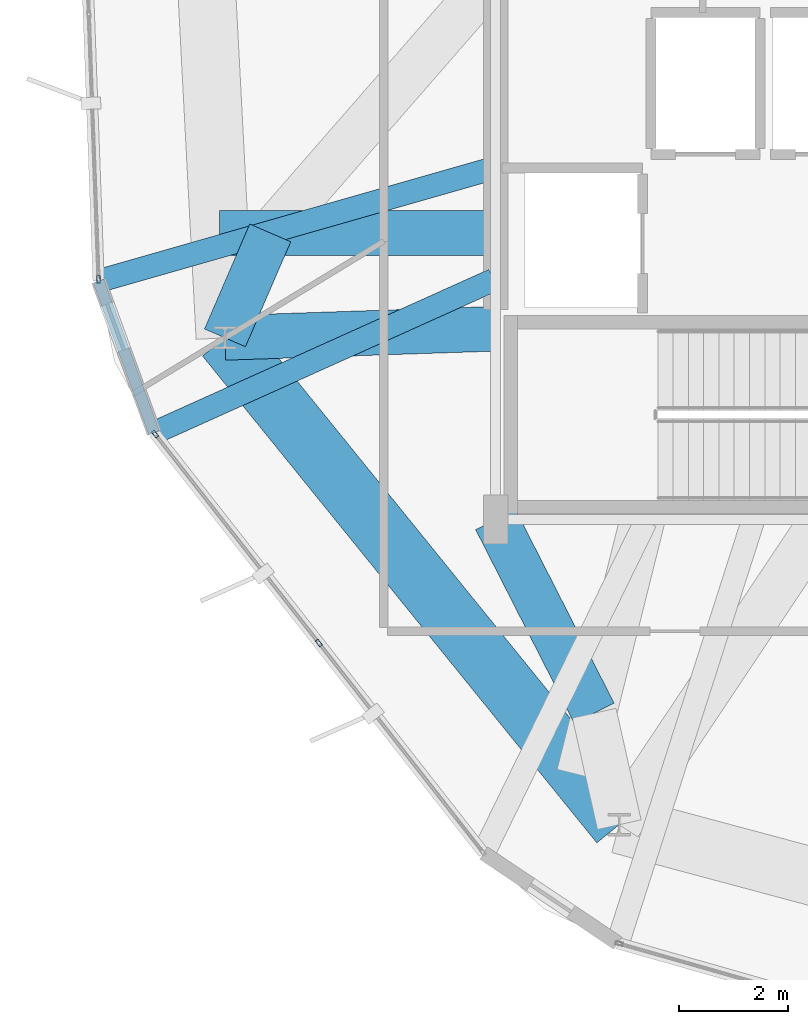
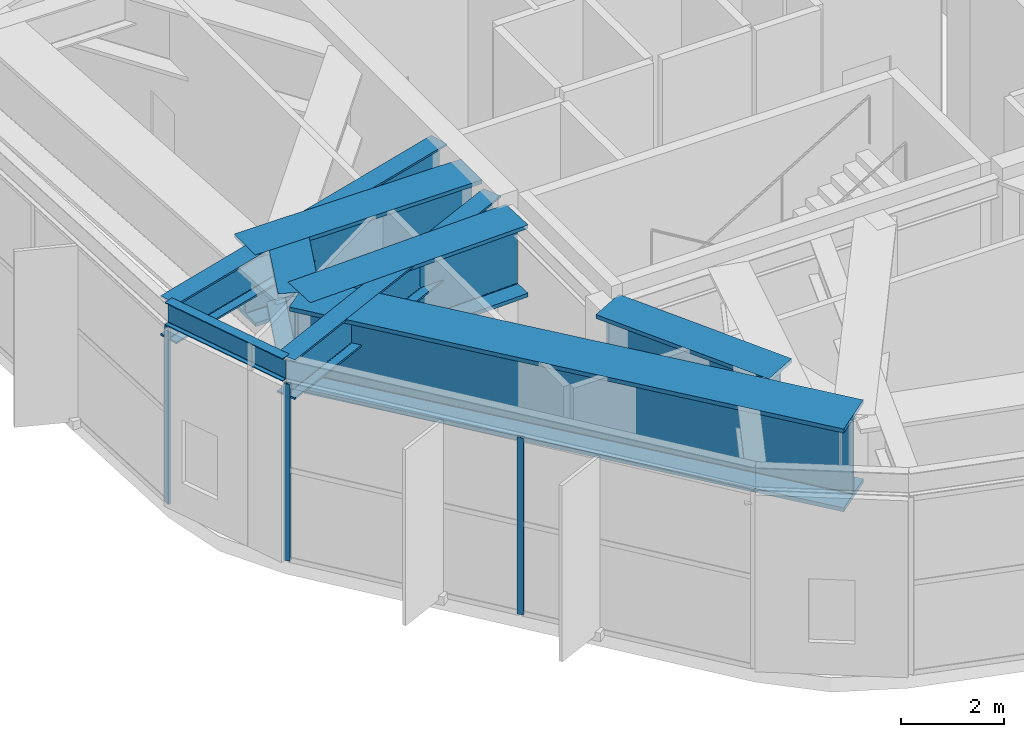
# One storey, part 5 of 30: 8 beams, 3 members, 2 elements without a shape of their own.
"""IFC4 building model written with IfcOpenShell, lengths in metres."""

from ifc_helpers import new_model, si_unit, direction, frame, origin, origin_2d, place, context, subcontext, project, spatial, hollow_rectangle, i_section, extrude, material, layer, layer_set, material_profile, profile_set, type_object, element, aggregate, save


model = new_model("IFC4")

# Units and contexts
model_context = context("Model", 3, precision=1e-05, world=origin(), true_north=direction((0.0, 1.0)))
body_context = subcontext(model_context, "Body", "Model", "MODEL_VIEW")
ifc_project = project(units=[si_unit("LENGTHUNIT", "METRE"), si_unit("AREAUNIT", "SQUARE_METRE"), si_unit("VOLUMEUNIT", "CUBIC_METRE"), si_unit("PLANEANGLEUNIT", "RADIAN"), si_unit("MASSUNIT", "GRAM", prefix="KILO")], contexts=[model_context])

# Site, building, storey
site_placement = place(None, origin())
site = spatial("IfcSite", under=ifc_project, at=site_placement, CompositionType="ELEMENT")
building_placement = place(site_placement, origin())
building = spatial("IfcBuilding", under=site, at=building_placement, Name="Soratama Intermodal Tower", CompositionType="ELEMENT")
storey_placement = place(building_placement, frame((0.0, 0.0, 237.39990234375)))
storey = spatial("IfcBuildingStorey", under=building, at=storey_placement, Name="L60", CompositionType="ELEMENT", Elevation=237.39990234375)

# Beams
ifc_material_1 = material(Name="Structural steel ASTM A992 Grade 50", Category="steel")
ifc_material_profile_1 = material_profile(ifc_material_1, i_section(OverallWidth=0.423095703125, OverallDepth=0.93896484375, WebThickness=0.02392578125, FlangeThickness=0.042724609375, FilletRadius=0.02392578125, at=origin_2d()), Name="W36X302")
ifc_profile_set_1 = profile_set([ifc_material_profile_1], Name="Structural steel ASTM A992 Grade 50")
beam_type_1 = type_object("IfcBeamType", Name="BM-POD-W36X302", PredefinedType="BEAM", material=ifc_profile_set_1)
beam_1_placement = place(storey_placement, frame((32.56201171875, 21.446044921875, 4.33056640625), z_axis=(-0.961532504779, -0.274691176146, 0.0), x_axis=(0.274691176146, -0.961532504779, 0.0)))
element("IfcBeam", 1, at=beam_1_placement, inside=storey, type_object=beam_type_1, Name="BM-L60-TIE1-04", PredefinedType="BEAM", context=body_context, shape_type="SweptSolid", body=[
    extrude(i_section(OverallWidth=0.423095703125, OverallDepth=0.93896484375, WebThickness=0.02392578125, FlangeThickness=0.042724609375, FilletRadius=0.02392578125, at=origin_2d()), origin(), (0.0, 0.0, 1.0), 7.535888671875),
])
beam_2_placement = place(storey_placement, frame((32.56396484375, 19.39599609375, 4.33056640625), z_axis=(-0.911764973731, -0.410712347852, 0.0), x_axis=(0.410712347852, -0.911764973731, 0.0)))
element("IfcBeam", 2, at=beam_2_placement, inside=storey, type_object=beam_type_1, Name="BM-L60-TIE0-05", PredefinedType="BEAM", context=body_context, shape_type="SweptSolid", body=[
    extrude(i_section(OverallWidth=0.423095703125, OverallDepth=0.93896484375, WebThickness=0.02392578125, FlangeThickness=0.042724609375, FilletRadius=0.02392578125, at=origin_2d()), origin(), (0.0, 0.0, 1.0), 6.831787109375),
])
ifc_material_2 = material(Name="Structural steel ASTM A992 Grade 50", Category="steel")
ifc_material_profile_2 = material_profile(ifc_material_2, i_section(OverallWidth=0.2099609375, OverallDepth=0.537109375, WebThickness=0.010986328125, FlangeThickness=0.017333984375, FilletRadius=0.012939453125, at=origin_2d()), Name="W21X68")
ifc_profile_set_2 = profile_set([ifc_material_profile_2], Name="Structural steel ASTM A992 Grade 50")
beam_type_2 = type_object("IfcBeamType", Name="BM-SPN-W21X68", PredefinedType="SPANDREL", material=ifc_profile_set_2)
beam_3_placement = place(storey_placement, frame((25.31591796875, 19.3759765625, 4.531494140625), z_axis=(0.343526648587, -0.93914292933, 0.0), x_axis=(0.93914292933, 0.343526648587, 0.0)))
element("IfcBeam", 3, at=beam_3_placement, inside=storey, type_object=beam_type_2, Name="BS-L60-CRN04", PredefinedType="SPANDREL", context=body_context, shape_type="SweptSolid", body=[
    extrude(i_section(OverallWidth=0.2099609375, OverallDepth=0.537109375, WebThickness=0.010986328125, FlangeThickness=0.017333984375, FilletRadius=0.012939453125, at=origin_2d()), origin(), (0.0, 0.0, 1.0), 2.96630859375),
])
ifc_material_3 = material(Name="Structural steel ASTM A992 Grade 50", Category="steel")
ifc_material_profile_3 = material_profile(ifc_material_3, i_section(OverallWidth=0.820068359375, OverallDepth=1.699951171875, WebThickness=0.053955078125, FlangeThickness=0.087890625, FilletRadius=0.02392578125, at=origin_2d()), Name="PG1580X800")
ifc_profile_set_3 = profile_set([ifc_material_profile_3], Name="Structural steel ASTM A992 Grade 50")
beam_type_3 = type_object("IfcBeamType", Name="BM-ZSTEP-PG1580", PredefinedType="BEAM", material=ifc_profile_set_3)
beam_4_placement = place(storey_placement, frame((27.534912109375, 20.259033203125, 3.9501953125), z_axis=(1.0, 0.0, 0.0), x_axis=(0.0, 1.0, 0.0)))
element("IfcBeam", 4, at=beam_4_placement, inside=storey, type_object=beam_type_3, Name="BM-L60-ZCHORD-06", PredefinedType="BEAM", context=body_context, shape_type="SweptSolid", body=[
    extrude(i_section(OverallWidth=0.820068359375, OverallDepth=1.699951171875, WebThickness=0.053955078125, FlangeThickness=0.087890625, FilletRadius=0.02392578125, at=origin_2d()), origin(), (0.0, 0.0, 1.0), 5.065185546875),
])
beam_5_placement = place(storey_placement, frame((32.60009765625, 18.5, 3.9501953125), z_axis=(-0.999441465401, -0.033417917907, 0.0), x_axis=(0.033417917907, -0.999441465401, 0.0)))
element("IfcBeam", 5, at=beam_5_placement, inside=storey, type_object=beam_type_3, Name="BM-L60-RAD-06", PredefinedType="BEAM", context=body_context, shape_type="SweptSolid", body=[
    extrude(i_section(OverallWidth=0.820068359375, OverallDepth=1.699951171875, WebThickness=0.053955078125, FlangeThickness=0.087890625, FilletRadius=0.02392578125, at=origin_2d()), origin(), (0.0, 0.0, 1.0), 4.9677734375),
])
ifc_material_4 = material(Name="Structural steel ASTM A992 Grade 50", Category="steel")
ifc_material_profile_4 = material_profile(ifc_material_4, i_section(OverallWidth=0.820068359375, OverallDepth=1.60205078125, WebThickness=0.055908203125, FlangeThickness=0.092041015625, FilletRadius=0.02392578125, at=origin_2d()), Name="PG1600X650")
ifc_profile_set_4 = profile_set([ifc_material_profile_4], Name="Structural steel ASTM A992 Grade 50")
beam_type_4 = type_object("IfcBeamType", Name="BM-ZSTEP-PG1600", PredefinedType="BEAM", material=ifc_profile_set_4)
beam_6_placement = place(storey_placement, frame((27.635009765625, 18.333984375, 3.9990234375), z_axis=(0.396349029487, 0.918099911134, 0.0), x_axis=(-0.918099911134, 0.396349029487, 0.0)))
element("IfcBeam", 6, at=beam_6_placement, inside=storey, type_object=beam_type_4, Name="BM-L60-ZSTEP-A06", PredefinedType="BEAM", context=body_context, shape_type="SweptSolid", body=[
    extrude(i_section(OverallWidth=0.820068359375, OverallDepth=1.60205078125, WebThickness=0.055908203125, FlangeThickness=0.092041015625, FilletRadius=0.02392578125, at=origin_2d()), origin(), (0.0, 0.0, 1.0), 2.0966796875),
])
beam_7_placement = place(storey_placement, frame((34.410888671875, 11.446044921875, 3.9990234375), z_axis=(-0.453982629215, 0.891010534377, 0.0), x_axis=(-0.891010534377, -0.453982629215, 0.0)))
element("IfcBeam", 7, at=beam_7_placement, inside=storey, type_object=beam_type_4, Name="BM-L60-ZSTEP-B07", PredefinedType="BEAM", context=body_context, shape_type="SweptSolid", body=[
    extrude(i_section(OverallWidth=0.820068359375, OverallDepth=1.60205078125, WebThickness=0.055908203125, FlangeThickness=0.092041015625, FilletRadius=0.02392578125, at=origin_2d()), origin(), (0.0, 0.0, 1.0), 3.98876953125),
])
ifc_material_5 = material(Name="Structural steel ASTM A992 Grade 50", Category="steel")
ifc_material_profile_5 = material_profile(ifc_material_5, i_section(OverallWidth=1.06005859375, OverallDepth=1.9599609375, WebThickness=0.05810546875, FlangeThickness=0.095947265625, FilletRadius=0.02392578125, at=origin_2d()), Name="PG2400X900")
ifc_profile_set_5 = profile_set([ifc_material_profile_5], Name="Structural steel ASTM A992 Grade 50")
beam_type_5 = type_object("IfcBeamType", Name="BM-ZSTEP-PG2400", PredefinedType="BEAM", material=ifc_profile_set_5)
beam_8_placement = place(storey_placement, frame((27.635009765625, 18.333984375, 3.820068359375), z_axis=(0.629384551156, -0.777094001242, 0.0), x_axis=(0.777094001242, 0.629384551156, 0.0)))
element("IfcBeam", 8, at=beam_8_placement, inside=storey, type_object=beam_type_5, Name="BM-L60-RING-06", PredefinedType="BEAM", context=body_context, shape_type="SweptSolid", body=[
    extrude(i_section(OverallWidth=1.06005859375, OverallDepth=1.9599609375, WebThickness=0.05810546875, FlangeThickness=0.095947265625, FilletRadius=0.02392578125, at=origin_2d()), origin(), (0.0, 0.0, 1.0), 11.49560546875),
])

# Curtain wall, member
ifc_material_6 = material(Name="Double-glazed aluminium curtain wall", Category="aluminium")
ifc_layer = layer(ifc_material_6, 0.159912109375)
ifc_layer_set = layer_set([ifc_layer], Name="Double-glazed aluminium curtain wall")
curtain_wall_type = type_object("IfcCurtainWallType", Name="CW-SYS-5", PredefinedType="NOTDEFINED", material=ifc_layer_set)
curtain_wall_1_placement = place(storey_placement, origin())
curtain_wall_1 = element("IfcCurtainWall", 9, at=curtain_wall_1_placement, inside=storey, type_object=curtain_wall_type, Name="L60 Faceted Curtain Wall F04", PredefinedType="NOTDEFINED")
ifc_material_7 = material(Name="Anodised aluminium AA 6063-T6", Category="aluminium")
ifc_material_profile_6 = material_profile(ifc_material_7, hollow_rectangle(XDim=0.06494140625, YDim=0.139892578125, WallThickness=0.0048828125, InnerFilletRadius=0.0048828125, OuterFilletRadius=0.010009765625, at=origin_2d()), Name="CWM140X65X5")
ifc_profile_set_6 = profile_set([ifc_material_profile_6], Name="Anodised aluminium AA 6063-T6")
member_type = type_object("IfcMemberType", Name="MT-CWM-5", PredefinedType="MULLION", material=ifc_profile_set_6)
member_1_placement = place(storey_placement, frame((25.314697265625, 19.406005859375, 0.0), z_axis=(0.0, 0.0, 1.0), x_axis=(0.999328481005, 0.036641329851, 0.0)))
member_1 = element("IfcMember", 10, at=member_1_placement, type_object=member_type, Name="CW-5 mullion 3", PredefinedType="MULLION", context=body_context, shape_type="SweptSolid", body=[
    extrude(hollow_rectangle(XDim=0.06494140625, YDim=0.139892578125, WallThickness=0.0048828125, InnerFilletRadius=0.0048828125, OuterFilletRadius=0.010009765625, at=origin_2d()), origin(), (0.0, 0.0, 1.0), 4.17919921875),
])
aggregate(curtain_wall_1, [member_1])

# Curtain wall, members
curtain_wall_2_placement = place(storey_placement, origin())
curtain_wall_2 = element("IfcCurtainWall", 11, at=curtain_wall_2_placement, inside=storey, type_object=curtain_wall_type, Name="L60 Faceted Curtain Wall F05", PredefinedType="NOTDEFINED")
member_2_placement = place(storey_placement, frame((26.353759765625, 16.566650390625, 0.0), z_axis=(0.0, 0.0, 1.0), x_axis=(0.786934557535, 0.617036467446, 0.0)))
member_2 = element("IfcMember", 12, at=member_2_placement, type_object=member_type, Name="CW-5 mullion 1", PredefinedType="MULLION", context=body_context, shape_type="SweptSolid", body=[
    extrude(hollow_rectangle(XDim=0.06494140625, YDim=0.139892578125, WallThickness=0.0048828125, InnerFilletRadius=0.0048828125, OuterFilletRadius=0.010009765625, at=origin_2d()), origin(), (0.0, 0.0, 1.0), 4.17919921875),
])
member_3_placement = place(storey_placement, frame((29.358154296875, 12.735107421875, 0.0), z_axis=(0.0, 0.0, 1.0), x_axis=(0.786934557535, 0.617036467446, 0.0)))
member_3 = element("IfcMember", 13, at=member_3_placement, type_object=member_type, Name="CW-5 mullion 2", PredefinedType="MULLION", context=body_context, shape_type="SweptSolid", body=[
    extrude(hollow_rectangle(XDim=0.06494140625, YDim=0.139892578125, WallThickness=0.0048828125, InnerFilletRadius=0.0048828125, OuterFilletRadius=0.010009765625, at=origin_2d()), origin(), (0.0, 0.0, 1.0), 4.17919921875),
])
aggregate(curtain_wall_2, [member_2, member_3])

save(model, "model.ifc")
